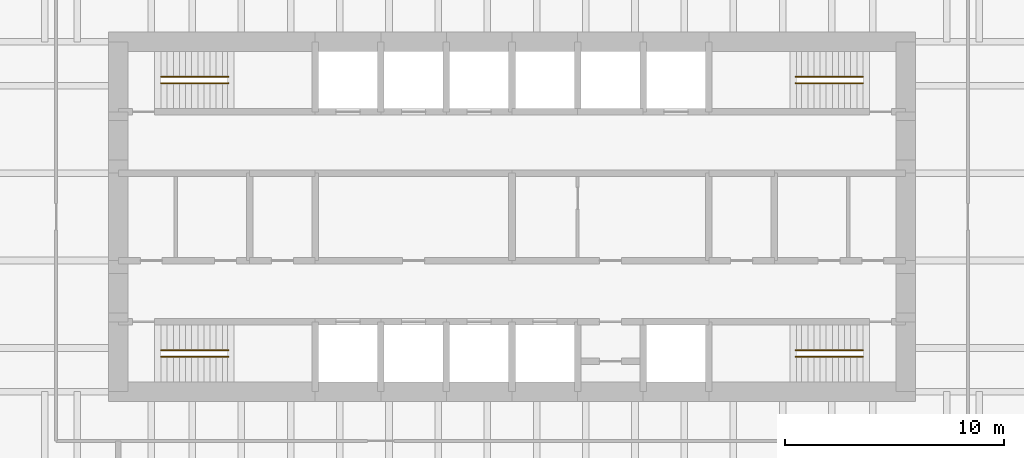
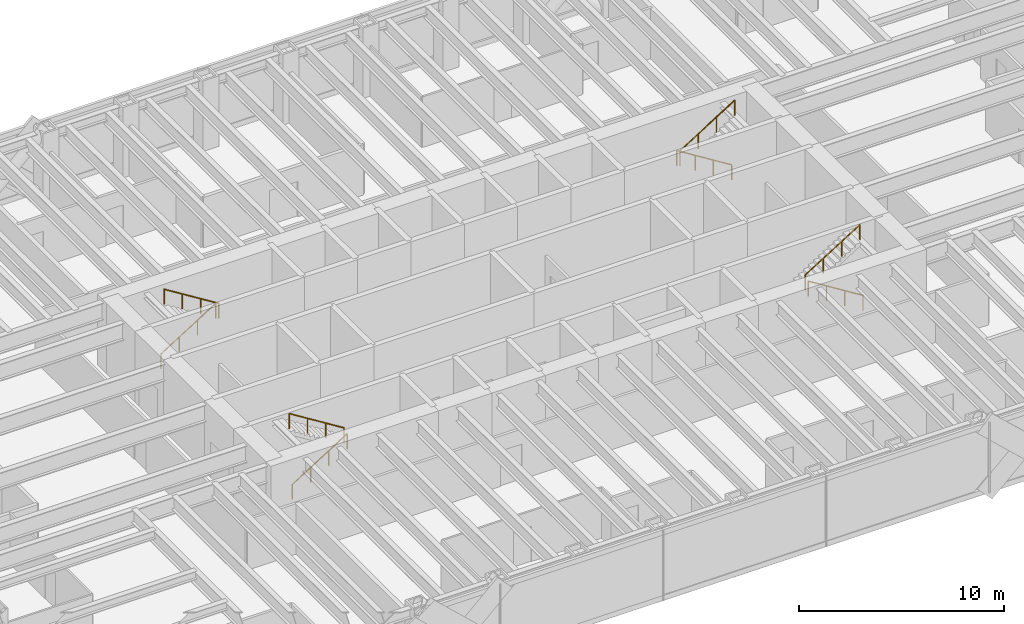
# One storey, part 17 of 17: 8 railings.
"""IFC4 building model written with IfcOpenShell, lengths in metres."""

from ifc_helpers import new_model, si_unit, direction, frame, origin, origin_2d, place, context, subcontext, project, spatial, circle, extrude, material, type_object, element, save


model = new_model("IFC4")

# Units and contexts
model_context = context("Model", 3, precision=1e-05, world=origin(), true_north=direction((0.0, 1.0)))
body_context = subcontext(model_context, "Body", "Model", "MODEL_VIEW")
ifc_project = project(units=[si_unit("LENGTHUNIT", "METRE"), si_unit("AREAUNIT", "SQUARE_METRE"), si_unit("VOLUMEUNIT", "CUBIC_METRE"), si_unit("PLANEANGLEUNIT", "RADIAN"), si_unit("MASSUNIT", "GRAM", prefix="KILO")], contexts=[model_context])

# Site, building, storey
site_placement = place(None, origin())
site = spatial("IfcSite", under=ifc_project, at=site_placement, CompositionType="ELEMENT")
building_placement = place(site_placement, origin())
building = spatial("IfcBuilding", under=site, at=building_placement, Name="Rheinbord Bourse Tower", CompositionType="ELEMENT")
storey_placement = place(building_placement, frame((0.0, 0.0, 138.300048828125)))
storey = spatial("IfcBuildingStorey", under=building, at=storey_placement, Name="L30", CompositionType="ELEMENT", Elevation=138.300048828125)

# Railings
ifc_material = material(Name="Steel handrail", Category="steel")
railing_type = type_object("IfcRailingType", Name="HANDRAIL 900", PredefinedType="HANDRAIL", material=ifc_material)
railing_1_placement = place(storey_placement, frame((19.949951171875, 17.60009765625, 0.175048828125)))
element("IfcRailing", 1, at=railing_1_placement, inside=storey, type_object=railing_type, Name="Handrail", PredefinedType="HANDRAIL", context=body_context, shape_type="SweptSolid", body=[
    extrude(circle(Radius=0.02392578125, at=origin_2d()), frame((0.0, 0.0, 0.8759765625), z_axis=(0.848028513186, 0.0, 0.529950602248), x_axis=(0.0, 1.0, 0.0)), (0.0, 0.0, 1.0), 3.632080078125),
    extrude(circle(Radius=0.02099609375, at=origin_2d()), origin(), (0.0, 0.0, 1.0), 0.851806640625),
    extrude(circle(Radius=0.02099609375, at=origin_2d()), frame((1.026611328125, 0.0, 0.6416015625)), (0.0, 0.0, 1.0), 0.851806640625),
    extrude(circle(Radius=0.02099609375, at=origin_2d()), frame((2.053466796875, 0.0, 1.283203125)), (0.0, 0.0, 1.0), 0.851806640625),
    extrude(circle(Radius=0.02099609375, at=origin_2d()), frame((3.080078125, 0.0, 1.9248046875)), (0.0, 0.0, 1.0), 0.851806640625),
])
railing_2_placement = place(storey_placement, frame((23.030029296875, 17.89990234375, 2.27490234375)))
element("IfcRailing", 2, at=railing_2_placement, inside=storey, type_object=railing_type, Name="Handrail", PredefinedType="HANDRAIL", context=body_context, shape_type="SweptSolid", body=[
    extrude(circle(Radius=0.02392578125, at=origin_2d()), frame((0.0, 0.0, 0.8759765625), z_axis=(-0.847998304005, 0.0, 0.529998940003), x_axis=(0.0, -1.0, 0.0)), (0.0, 0.0, 1.0), 3.632080078125),
    extrude(circle(Radius=0.02099609375, at=origin_2d()), origin(), (0.0, 0.0, 1.0), 0.851806640625),
    extrude(circle(Radius=0.02099609375, at=origin_2d()), frame((-1.026611328125, 0.0, 0.6416015625)), (0.0, 0.0, 1.0), 0.851806640625),
    extrude(circle(Radius=0.02099609375, at=origin_2d()), frame((-2.053466796875, 0.0, 1.283447265625)), (0.0, 0.0, 1.0), 0.851806640625),
    extrude(circle(Radius=0.02099609375, at=origin_2d()), frame((-3.080078125, 0.0, 1.925048828125)), (0.0, 0.0, 1.0), 0.851806640625),
])
railing_3_placement = place(storey_placement, frame((19.949951171875, 30.39990234375, 0.175048828125)))
element("IfcRailing", 3, at=railing_3_placement, inside=storey, type_object=railing_type, Name="Handrail", PredefinedType="HANDRAIL", context=body_context, shape_type="SweptSolid", body=[
    extrude(circle(Radius=0.02392578125, at=origin_2d()), frame((0.0, 0.0, 0.8759765625), z_axis=(0.848028513186, 0.0, 0.529950602248), x_axis=(0.0, 1.0, 0.0)), (0.0, 0.0, 1.0), 3.632080078125),
    extrude(circle(Radius=0.02099609375, at=origin_2d()), origin(), (0.0, 0.0, 1.0), 0.851806640625),
    extrude(circle(Radius=0.02099609375, at=origin_2d()), frame((1.026611328125, 0.0, 0.6416015625)), (0.0, 0.0, 1.0), 0.851806640625),
    extrude(circle(Radius=0.02099609375, at=origin_2d()), frame((2.053466796875, 0.0, 1.283203125)), (0.0, 0.0, 1.0), 0.851806640625),
    extrude(circle(Radius=0.02099609375, at=origin_2d()), frame((3.080078125, 0.0, 1.9248046875)), (0.0, 0.0, 1.0), 0.851806640625),
])
railing_4_placement = place(storey_placement, frame((23.030029296875, 30.10009765625, 2.27490234375)))
element("IfcRailing", 4, at=railing_4_placement, inside=storey, type_object=railing_type, Name="Handrail", PredefinedType="HANDRAIL", context=body_context, shape_type="SweptSolid", body=[
    extrude(circle(Radius=0.02392578125, at=origin_2d()), frame((0.0, 0.0, 0.8759765625), z_axis=(-0.847998304005, 0.0, 0.529998940003), x_axis=(0.0, -1.0, 0.0)), (0.0, 0.0, 1.0), 3.632080078125),
    extrude(circle(Radius=0.02099609375, at=origin_2d()), origin(), (0.0, 0.0, 1.0), 0.851806640625),
    extrude(circle(Radius=0.02099609375, at=origin_2d()), frame((-1.026611328125, 0.0, 0.6416015625)), (0.0, 0.0, 1.0), 0.851806640625),
    extrude(circle(Radius=0.02099609375, at=origin_2d()), frame((-2.053466796875, 0.0, 1.283447265625)), (0.0, 0.0, 1.0), 0.851806640625),
    extrude(circle(Radius=0.02099609375, at=origin_2d()), frame((-3.080078125, 0.0, 1.925048828125)), (0.0, 0.0, 1.0), 0.851806640625),
])
railing_5_placement = place(storey_placement, frame((52.050048828125, 17.60009765625, 0.175048828125)))
element("IfcRailing", 5, at=railing_5_placement, inside=storey, type_object=railing_type, Name="Handrail", PredefinedType="HANDRAIL", context=body_context, shape_type="SweptSolid", body=[
    extrude(circle(Radius=0.02392578125, at=origin_2d()), frame((0.0, 0.0, 0.8759765625), z_axis=(-0.848028513186, 0.0, 0.529950602248), x_axis=(0.0, -1.0, 0.0)), (0.0, 0.0, 1.0), 3.632080078125),
    extrude(circle(Radius=0.02099609375, at=origin_2d()), origin(), (0.0, 0.0, 1.0), 0.851806640625),
    extrude(circle(Radius=0.02099609375, at=origin_2d()), frame((-1.026611328125, 0.0, 0.6416015625)), (0.0, 0.0, 1.0), 0.851806640625),
    extrude(circle(Radius=0.02099609375, at=origin_2d()), frame((-2.053466796875, 0.0, 1.283203125)), (0.0, 0.0, 1.0), 0.851806640625),
    extrude(circle(Radius=0.02099609375, at=origin_2d()), frame((-3.080078125, 0.0, 1.9248046875)), (0.0, 0.0, 1.0), 0.851806640625),
])
railing_6_placement = place(storey_placement, frame((48.969970703125, 17.89990234375, 2.27490234375)))
element("IfcRailing", 6, at=railing_6_placement, inside=storey, type_object=railing_type, Name="Handrail", PredefinedType="HANDRAIL", context=body_context, shape_type="SweptSolid", body=[
    extrude(circle(Radius=0.02392578125, at=origin_2d()), frame((0.0, 0.0, 0.8759765625), z_axis=(0.847998304005, 0.0, 0.529998940003), x_axis=(0.0, 1.0, 0.0)), (0.0, 0.0, 1.0), 3.632080078125),
    extrude(circle(Radius=0.02099609375, at=origin_2d()), origin(), (0.0, 0.0, 1.0), 0.851806640625),
    extrude(circle(Radius=0.02099609375, at=origin_2d()), frame((1.026611328125, 0.0, 0.6416015625)), (0.0, 0.0, 1.0), 0.851806640625),
    extrude(circle(Radius=0.02099609375, at=origin_2d()), frame((2.053466796875, 0.0, 1.283447265625)), (0.0, 0.0, 1.0), 0.851806640625),
    extrude(circle(Radius=0.02099609375, at=origin_2d()), frame((3.080078125, 0.0, 1.925048828125)), (0.0, 0.0, 1.0), 0.851806640625),
])
railing_7_placement = place(storey_placement, frame((52.050048828125, 30.39990234375, 0.175048828125)))
element("IfcRailing", 7, at=railing_7_placement, inside=storey, type_object=railing_type, Name="Handrail", PredefinedType="HANDRAIL", context=body_context, shape_type="SweptSolid", body=[
    extrude(circle(Radius=0.02392578125, at=origin_2d()), frame((0.0, 0.0, 0.8759765625), z_axis=(-0.848028513186, 0.0, 0.529950602248), x_axis=(0.0, -1.0, 0.0)), (0.0, 0.0, 1.0), 3.632080078125),
    extrude(circle(Radius=0.02099609375, at=origin_2d()), origin(), (0.0, 0.0, 1.0), 0.851806640625),
    extrude(circle(Radius=0.02099609375, at=origin_2d()), frame((-1.026611328125, 0.0, 0.6416015625)), (0.0, 0.0, 1.0), 0.851806640625),
    extrude(circle(Radius=0.02099609375, at=origin_2d()), frame((-2.053466796875, 0.0, 1.283203125)), (0.0, 0.0, 1.0), 0.851806640625),
    extrude(circle(Radius=0.02099609375, at=origin_2d()), frame((-3.080078125, 0.0, 1.9248046875)), (0.0, 0.0, 1.0), 0.851806640625),
])
railing_8_placement = place(storey_placement, frame((48.969970703125, 30.10009765625, 2.27490234375)))
element("IfcRailing", 8, at=railing_8_placement, inside=storey, type_object=railing_type, Name="Handrail", PredefinedType="HANDRAIL", context=body_context, shape_type="SweptSolid", body=[
    extrude(circle(Radius=0.02392578125, at=origin_2d()), frame((0.0, 0.0, 0.8759765625), z_axis=(0.847998304005, 0.0, 0.529998940003), x_axis=(0.0, 1.0, 0.0)), (0.0, 0.0, 1.0), 3.632080078125),
    extrude(circle(Radius=0.02099609375, at=origin_2d()), origin(), (0.0, 0.0, 1.0), 0.851806640625),
    extrude(circle(Radius=0.02099609375, at=origin_2d()), frame((1.026611328125, 0.0, 0.6416015625)), (0.0, 0.0, 1.0), 0.851806640625),
    extrude(circle(Radius=0.02099609375, at=origin_2d()), frame((2.053466796875, 0.0, 1.283447265625)), (0.0, 0.0, 1.0), 0.851806640625),
    extrude(circle(Radius=0.02099609375, at=origin_2d()), frame((3.080078125, 0.0, 1.925048828125)), (0.0, 0.0, 1.0), 0.851806640625),
])

save(model, "model.ifc")
